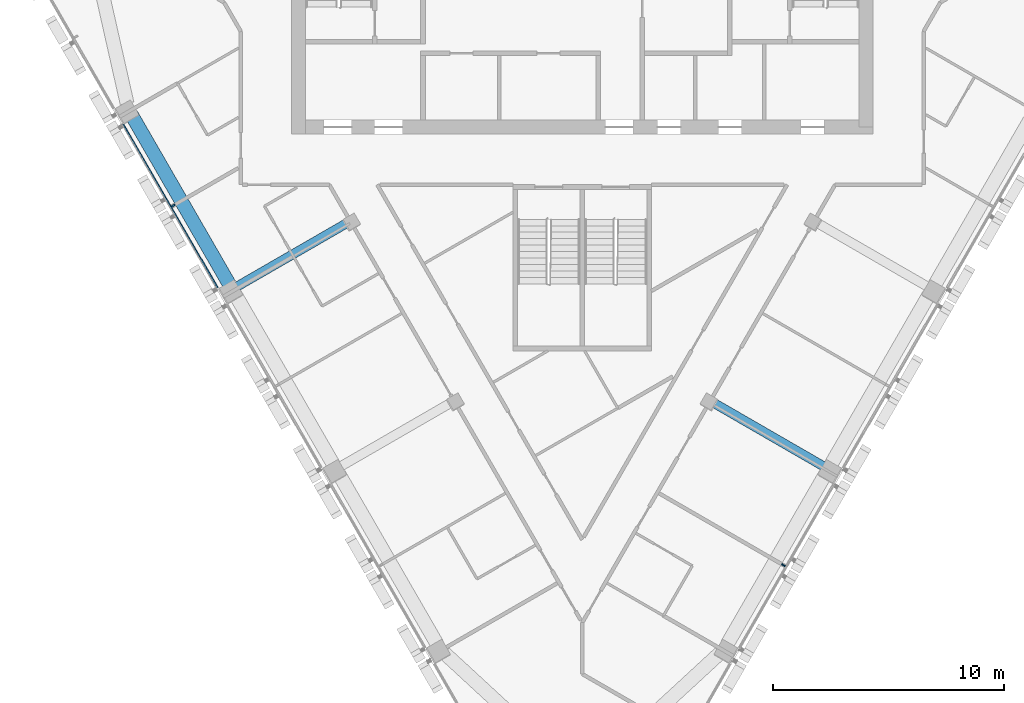
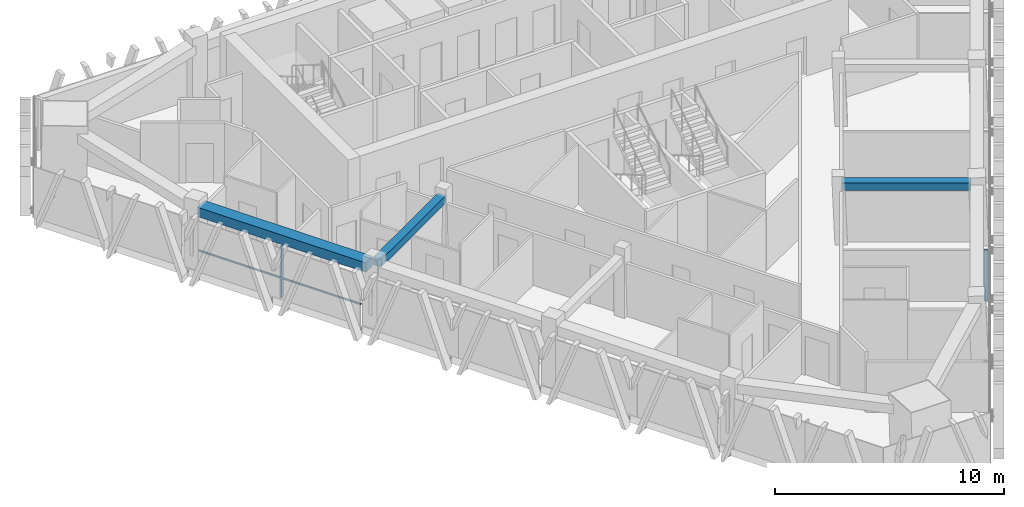
# One storey, part 3 of 14: 3 beams, 3 members, 2 elements without a shape of their own.
"""IFC4 building model written with IfcOpenShell, lengths in metres."""

from ifc_helpers import new_model, si_unit, direction, frame, origin, origin_2d, place, context, subcontext, project, spatial, rectangle, extrude, material, layer, layer_set, material_profile, profile_set, type_object, element, aggregate, save


model = new_model("IFC4")

# Units and contexts
model_context = context("Model", 3, precision=1e-05, world=origin(), true_north=direction((0.0, 1.0)))
body_context = subcontext(model_context, "Body", "Model", "MODEL_VIEW")
ifc_project = project(units=[si_unit("LENGTHUNIT", "METRE"), si_unit("AREAUNIT", "SQUARE_METRE"), si_unit("VOLUMEUNIT", "CUBIC_METRE"), si_unit("PLANEANGLEUNIT", "RADIAN"), si_unit("MASSUNIT", "GRAM", prefix="KILO")], contexts=[model_context])

# Site, building, storey
site_placement = place(None, origin())
site = spatial("IfcSite", under=ifc_project, at=site_placement, CompositionType="ELEMENT")
building_placement = place(site_placement, origin())
building = spatial("IfcBuilding", under=site, at=building_placement, Name="Altiplano Prism Tower", CompositionType="ELEMENT")
storey_placement = place(building_placement, frame((0.0, 0.0, 242.800048828125)))
storey = spatial("IfcBuildingStorey", under=building, at=storey_placement, Name="L62", CompositionType="ELEMENT", Elevation=242.800048828125)

# Curtain wall, member
ifc_material_1 = material(Name="Aluminium and glass", Category="aluminium")
ifc_layer = layer(ifc_material_1, 0.280029296875)
ifc_layer_set = layer_set([ifc_layer], Name="Aluminium and glass")
curtain_wall_type = type_object("IfcCurtainWallType", Name="CW1 typical co-living unitised curtain wall", PredefinedType="NOTDEFINED", material=ifc_layer_set)
curtain_wall_1_placement = place(storey_placement, origin())
curtain_wall_1 = element("IfcCurtainWall", 1, at=curtain_wall_1_placement, inside=storey, type_object=curtain_wall_type, Name="CW1 curtain wall south-west face L62", PredefinedType="NOTDEFINED")
ifc_material_2 = material(Name="Aluminium", Category="aluminium")
ifc_material_profile_1 = material_profile(ifc_material_2, rectangle(XDim=0.179931640625, YDim=0.06494140625, at=origin_2d()), Name="CW1 mullion 65 x 180")
ifc_profile_set_1 = profile_set([ifc_material_profile_1], Name="Aluminium")
member_type_1 = type_object("IfcMemberType", Name="CW1 mullion 65 x 180", PredefinedType="MULLION", material=ifc_profile_set_1)
member_1_placement = place(storey_placement, frame((67.27294921875, 89.6943359375, 0.0), z_axis=(0.0, 0.0, 1.0), x_axis=(0.866025401638, 0.500000003718, 0.0)))
member_1 = element("IfcMember", 2, at=member_1_placement, type_object=member_type_1, Name="CW1 mullion", PredefinedType="MULLION", context=body_context, shape_type="SweptSolid", body=[
    extrude(rectangle(XDim=0.179931640625, YDim=0.06494140625, at=origin_2d()), origin(), (0.0, 0.0, 1.0), 2.699951171875),
])

curtain_wall_2_placement = place(storey_placement, origin())
curtain_wall_2 = element("IfcCurtainWall", 3, at=curtain_wall_2_placement, inside=storey, type_object=curtain_wall_type, Name="CW1 curtain wall south-east face L62", PredefinedType="NOTDEFINED")
member_2_placement = place(storey_placement, frame((93.72705078125, 74.10595703125, 0.0), z_axis=(0.0, 0.0, 1.0), x_axis=(-0.866025401638, 0.500000003718, 0.0)))
member_2 = element("IfcMember", 4, at=member_2_placement, type_object=member_type_1, Name="CW1 mullion", PredefinedType="MULLION", context=body_context, shape_type="SweptSolid", body=[
    extrude(rectangle(XDim=0.179931640625, YDim=0.06494140625, at=origin_2d()), origin(), (0.0, 0.0, 1.0), 2.699951171875),
])
aggregate(curtain_wall_2, [member_2])

# Member
ifc_material_profile_2 = material_profile(ifc_material_2, rectangle(XDim=0.06005859375, YDim=0.080078125, at=origin_2d()), Name="CW1 transom 80 x 60")
ifc_profile_set_2 = profile_set([ifc_material_profile_2], Name="Aluminium")
member_type_2 = type_object("IfcMemberType", Name="CW1 transom 80 x 60", PredefinedType="USERDEFINED", material=ifc_profile_set_2)
member_3_placement = place(storey_placement, frame((65.106689453125, 93.2060546875, 1.099853515625), z_axis=(0.500008722908, -0.866020367552, 0.0), x_axis=(0.866020367552, 0.500008722908, 0.0)))
member_3 = element("IfcMember", 5, at=member_3_placement, type_object=member_type_2, Name="CW1 transom", ObjectType="TRANSOM", PredefinedType="USERDEFINED", context=body_context, shape_type="SweptSolid", body=[
    extrude(rectangle(XDim=0.06005859375, YDim=0.080078125, at=origin_2d()), origin(), (0.0, 0.0, 1.0), 8.169677734375),
])

aggregate(curtain_wall_1, [member_1, member_3])

# Beams
ifc_material_3 = material(Name="Concrete C60/75", Category="concrete")
ifc_material_profile_3 = material_profile(ifc_material_3, rectangle(XDim=0.60009765625, YDim=0.5, at=origin_2d()), Name="Edge beam 600x500")
ifc_profile_set_3 = profile_set([ifc_material_profile_3], Name="Concrete C60/75")
beam_type_1 = type_object("IfcBeamType", Name="Edge beam 600x500", PredefinedType="SPANDREL", material=ifc_profile_set_3)
beam_placement = place(storey_placement, frame((65.45556640625, 93.63916015625, 2.949951171875), z_axis=(0.500011199594, -0.866018937599, 0.0), x_axis=(0.866018937599, 0.500011199594, 0.0)))
element("IfcBeam", 6, at=beam_placement, inside=storey, type_object=beam_type_1, Name="Edge beam P11-P12 L63", PredefinedType="SPANDREL", context=body_context, shape_type="SweptSolid", body=[
    extrude(rectangle(XDim=0.60009765625, YDim=0.5, at=origin_2d()), origin(), (0.0, 0.0, 1.0), 8.489990234375),
])
ifc_material_profile_4 = material_profile(ifc_material_3, rectangle(XDim=0.39990234375, YDim=0.39990234375, at=origin_2d()), Name="Tie beam 400x400")
ifc_profile_set_4 = profile_set([ifc_material_profile_4], Name="Concrete C60/75")
beam_type_2 = type_object("IfcBeamType", Name="Tie beam 400x400", PredefinedType="BEAM", material=ifc_profile_set_4)
for number, where, z_axis, x_axis, name in (
    (7, (74.933349609375, 89.01318359375, 3.0), (-0.866026281646, -0.499998479497, 0.0), (0.499998479497, -0.866026281646, 0.0), "Tie beam I12 L63"),
    (8, (90.566650390625, 81.218994140625, 3.0), (0.866026281646, -0.499998479497, 0.0), (0.499998479497, 0.866026281646, 0.0), "Tie beam I22 L63"),
):
    element("IfcBeam", number, at=place(storey_placement, frame(where, z_axis=z_axis, x_axis=x_axis)), inside=storey, type_object=beam_type_2, Name=name, PredefinedType="BEAM", context=body_context, shape_type="SweptSolid", body=[
        extrude(rectangle(XDim=0.39990234375, YDim=0.39990234375, at=origin_2d()), origin(), (0.0, 0.0, 1.0), 5.64013671875),
    ])

save(model, "model.ifc")
